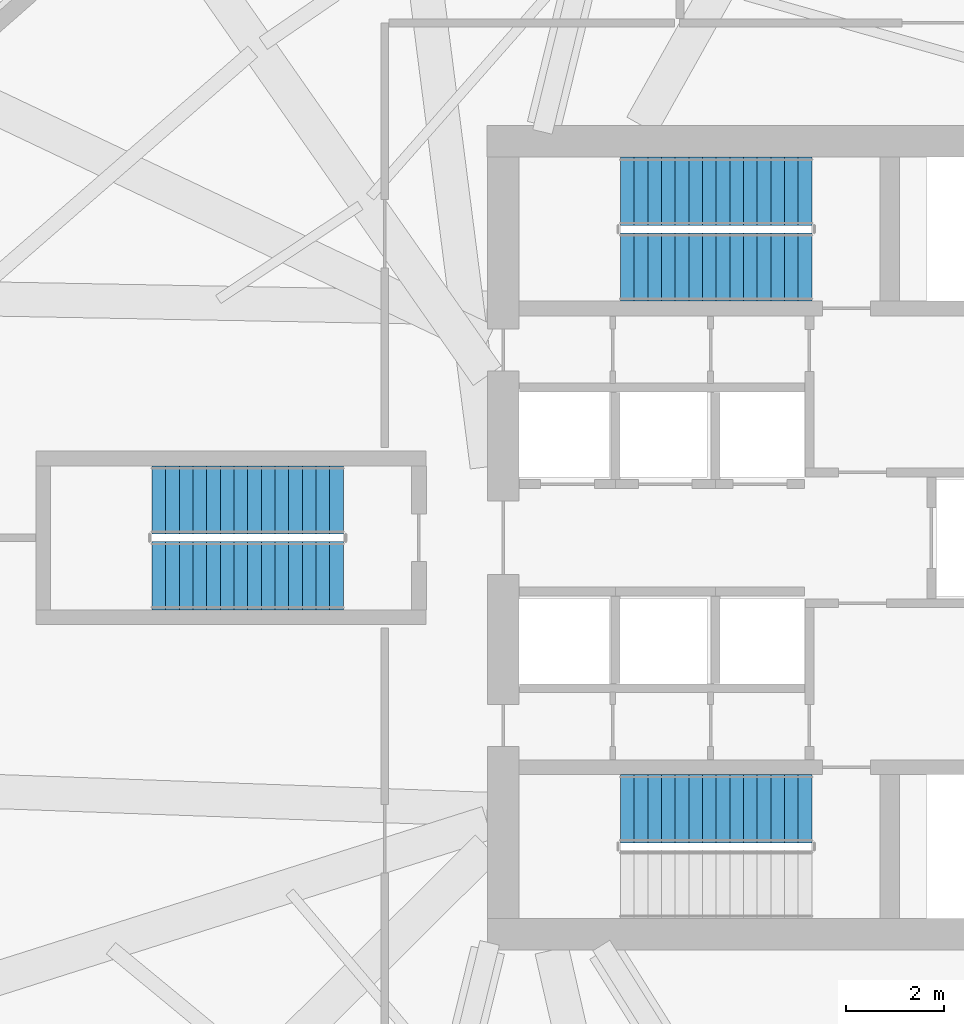
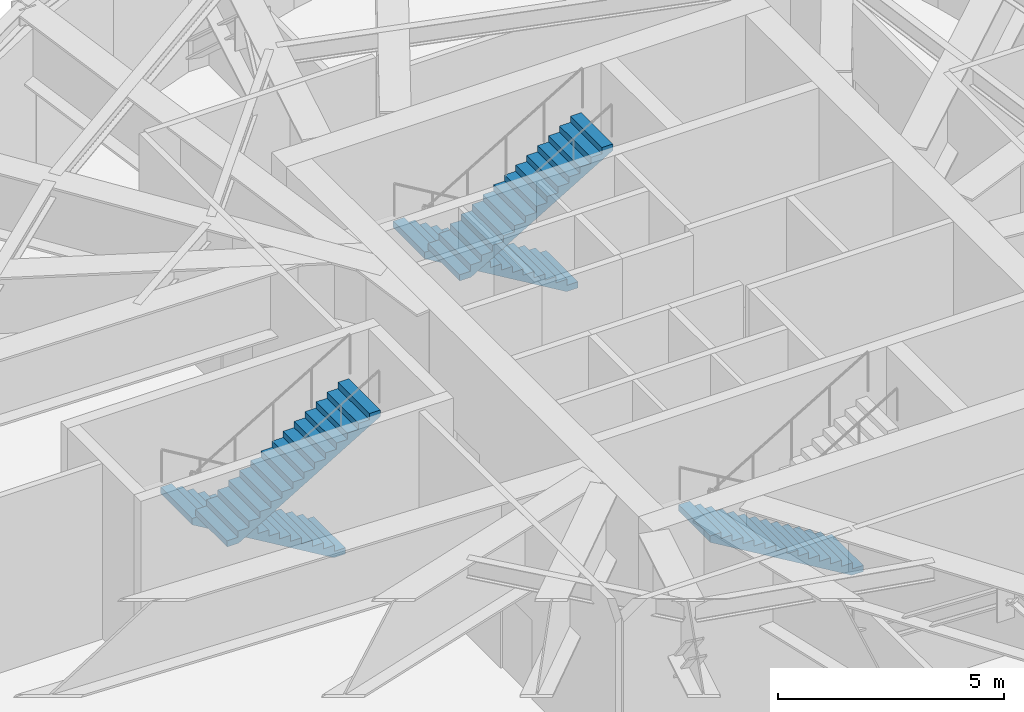
# One storey, part 6 of 9: 5 stair flights, 3 elements without a shape of their own.
"""IFC4 building model written with IfcOpenShell, lengths in metres."""

from ifc_helpers import new_model, si_unit, direction, frame, origin, place, context, subcontext, project, spatial, polyline, outline, extrude, source, transform, mapped, material, type_object, element, aggregate, save


model = new_model("IFC4")

# Units and contexts
model_context = context("Model", 3, precision=1e-05, world=origin(), true_north=direction((0.0, 1.0)))
body_context = subcontext(model_context, "Body", "Model", "MODEL_VIEW")
ifc_project = project(units=[si_unit("LENGTHUNIT", "METRE"), si_unit("AREAUNIT", "SQUARE_METRE"), si_unit("VOLUMEUNIT", "CUBIC_METRE"), si_unit("PLANEANGLEUNIT", "RADIAN"), si_unit("MASSUNIT", "GRAM", prefix="KILO")], contexts=[model_context])

# Site, building, storey
site_placement = place(None, origin())
site = spatial("IfcSite", under=ifc_project, at=site_placement, CompositionType="ELEMENT")
building_placement = place(site_placement, origin())
building = spatial("IfcBuilding", under=site, at=building_placement, Name="Qafzar Sky-Pleat Residences", CompositionType="ELEMENT")
storey_placement = place(building_placement, frame((0.0, 0.0, 128.0)))
storey = spatial("IfcBuildingStorey", under=building, at=storey_placement, Name="L38", CompositionType="ELEMENT", Elevation=128.0)

# Stair, stair flight
ifc_material = material(Name="Concrete C40/50", Category="concrete")
stair_type = type_object("IfcStairType", Name="STAIR-H500", PredefinedType="HALF_TURN_STAIR", material=ifc_material)
stair_1_placement = place(storey_placement, origin())
stair_1 = element("IfcStair", 1, at=stair_1_placement, inside=storey, type_object=stair_type, Name="L38 Protected Exit Stair ST1", PredefinedType="HALF_TURN_STAIR")
stair_flight_type = type_object("IfcStairFlightType", Name="FLIGHT-H500", PredefinedType="STRAIGHT", material=ifc_material)
shared_shape = source(origin(), body_context, "Body", "SweptSolid", [
    extrude(outline(polyline([(0.0, 0.0), (0.0, 0.166748046875), (0.280029296875, 0.166748046875), (0.280029296875, 0.333251953125), (0.56005859375, 0.333251953125), (0.56005859375, 0.5), (0.840087890625, 0.5), (0.840087890625, 0.666748046875), (1.1201171875, 0.666748046875), (1.1201171875, 0.833251953125), (1.39990234375, 0.833251953125), (1.39990234375, 1.0), (1.679931640625, 1.0), (1.679931640625, 1.166748046875), (1.9599609375, 1.166748046875), (1.9599609375, 1.333251953125), (2.239990234375, 1.333251953125), (2.239990234375, 1.5), (2.52001953125, 1.5), (2.52001953125, 1.666748046875), (2.800048828125, 1.666748046875), (2.800048828125, 1.833251953125), (3.080078125, 1.833251953125), (3.080078125, 2.0), (3.360107421875, 2.0), (3.360107421875, 2.166748046875), (3.639892578125, 2.166748046875), (3.639892578125, 2.333251953125), (3.919921875, 2.333251953125), (3.919921875, 2.5), (3.919921875, 2.158935546875), (0.29296875, 0.0), (0.0, 0.0)])), frame((0.0, 0.699951171875, 0.0), z_axis=(0.0, -1.0, 0.0), x_axis=(1.0, 0.0, 0.0)), (0.0, 0.0, 1.0), 1.39990234375),
])
stair_flight_1_placement = place(storey_placement, frame((30.800048828125, 20.449951171875, 0.0), z_axis=(0.0, 0.0, 1.0), x_axis=(-1.0, 0.0, 0.0)))
stair_flight_1 = element("IfcStairFlight", 2, at=stair_flight_1_placement, type_object=stair_flight_type, Name="ST1 flight 1", NumberOfRisers=15, NumberOfTreads=14, PredefinedType="STRAIGHT", RiserHeight=0.166666667, TreadLength=0.28, context=body_context, shape_type="MappedRepresentation", body=[
    mapped(shared_shape, transform((0.0, 0.0, 0.0), x_axis=(1.0, 0.0, 0.0), y_axis=(0.0, 1.0, 0.0), z_axis=(0.0, 0.0, 1.0), scale=1.0)),
])
aggregate(stair_1, [stair_flight_1])

# Stair, stair flights
stair_2_placement = place(storey_placement, origin())
stair_2 = element("IfcStair", 3, at=stair_2_placement, inside=storey, type_object=stair_type, Name="L38 Protected Exit Stair ST2", PredefinedType="HALF_TURN_STAIR")
stair_flight_2_placement = place(storey_placement, frame((30.800048828125, 33.10009765625, 0.0), z_axis=(0.0, 0.0, 1.0), x_axis=(-1.0, 0.0, 0.0)))
stair_flight_2 = element("IfcStairFlight", 4, at=stair_flight_2_placement, type_object=stair_flight_type, Name="ST2 flight 1", NumberOfRisers=15, NumberOfTreads=14, PredefinedType="STRAIGHT", RiserHeight=0.166666667, TreadLength=0.28, context=body_context, shape_type="MappedRepresentation", body=[
    mapped(shared_shape, transform((0.0, 0.0, 0.0), x_axis=(1.0, 0.0, 0.0), y_axis=(0.0, 1.0, 0.0), z_axis=(0.0, 0.0, 1.0), scale=1.0)),
])
stair_flight_3_placement = place(storey_placement, frame((26.8798828125, 31.550048828125, 2.5), z_axis=(0.0, 0.0, 1.0), x_axis=(1.0, 0.0, 0.0)))
stair_flight_3 = element("IfcStairFlight", 5, at=stair_flight_3_placement, type_object=stair_flight_type, Name="ST2 flight 2", NumberOfRisers=15, NumberOfTreads=14, PredefinedType="STRAIGHT", RiserHeight=0.166666667, TreadLength=0.28, context=body_context, shape_type="MappedRepresentation", body=[
    mapped(shared_shape, transform((0.0, 0.0, 0.0), x_axis=(1.0, 0.0, 0.0), y_axis=(0.0, 1.0, 0.0), z_axis=(0.0, 0.0, 1.0), scale=1.0)),
])
aggregate(stair_2, [stair_flight_2, stair_flight_3])

stair_3_placement = place(storey_placement, origin())
stair_3 = element("IfcStair", 6, at=stair_3_placement, inside=storey, type_object=stair_type, Name="L38 Protected Exit Stair ST3", PredefinedType="HALF_TURN_STAIR")
stair_flight_4_placement = place(storey_placement, frame((21.199951171875, 26.77490234375, 0.0), z_axis=(0.0, 0.0, 1.0), x_axis=(-1.0, 0.0, 0.0)))
stair_flight_4 = element("IfcStairFlight", 7, at=stair_flight_4_placement, type_object=stair_flight_type, Name="ST3 flight 1", NumberOfRisers=15, NumberOfTreads=14, PredefinedType="STRAIGHT", RiserHeight=0.166666667, TreadLength=0.28, context=body_context, shape_type="MappedRepresentation", body=[
    mapped(shared_shape, transform((0.0, 0.0, 0.0), x_axis=(1.0, 0.0, 0.0), y_axis=(0.0, 1.0, 0.0), z_axis=(0.0, 0.0, 1.0), scale=1.0)),
])
stair_flight_5_placement = place(storey_placement, frame((17.280029296875, 25.22509765625, 2.5), z_axis=(0.0, 0.0, 1.0), x_axis=(1.0, 0.0, 0.0)))
stair_flight_5 = element("IfcStairFlight", 8, at=stair_flight_5_placement, type_object=stair_flight_type, Name="ST3 flight 2", NumberOfRisers=15, NumberOfTreads=14, PredefinedType="STRAIGHT", RiserHeight=0.166666667, TreadLength=0.28, context=body_context, shape_type="MappedRepresentation", body=[
    mapped(shared_shape, transform((0.0, 0.0, 0.0), x_axis=(1.0, 0.0, 0.0), y_axis=(0.0, 1.0, 0.0), z_axis=(0.0, 0.0, 1.0), scale=1.0)),
])
aggregate(stair_3, [stair_flight_4, stair_flight_5])

save(model, "model.ifc")
